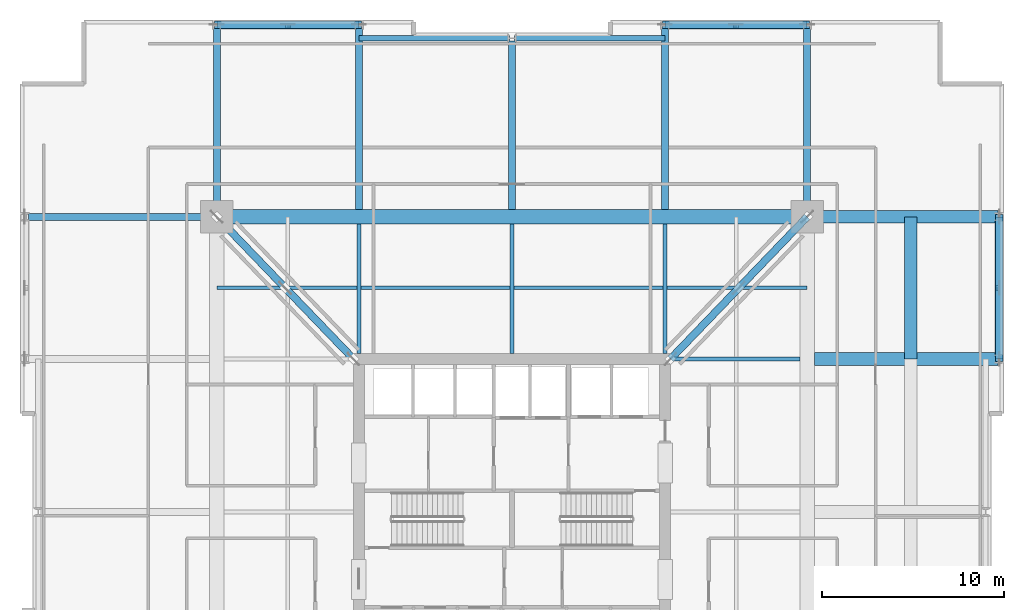
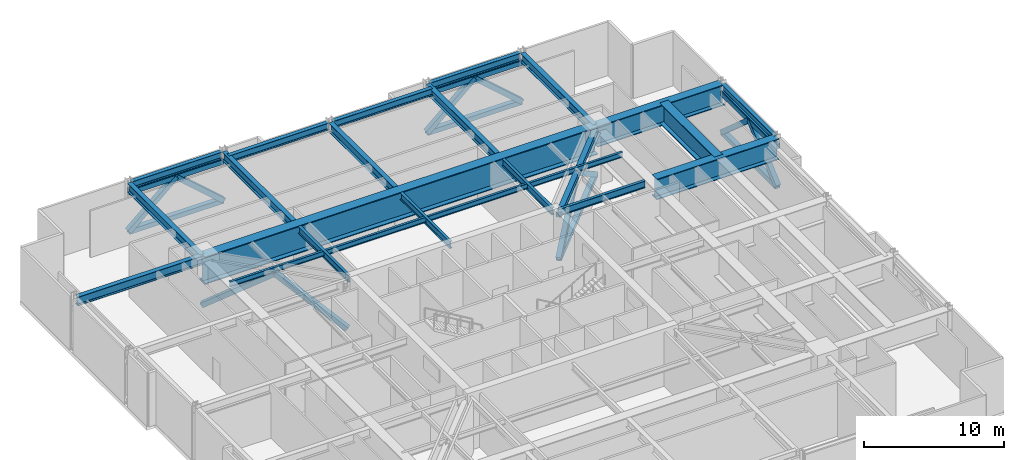
# One storey, part 2 of 13: 20 beams, 18 members.
"""IFC4 building model written with IfcOpenShell, lengths in metres."""

import ifcopenshell
import ifcopenshell.guid

model = None  # the IFC model being written
_history = None  # IfcOwnerHistory: only IFC2X3 demands one
_inside = {}  # id of a spatial element -> (the spatial element, [elements in it])
_under = {}  # id of a project, library or spatial element -> (it, [spatial elements below it])
_declared = {}  # id of a project -> (the project, [libraries it declares])
_typed = {}  # id of a type object -> (the type object, [elements of that type])
_made_of = {}  # id of a material, layer set ... -> (it, [elements and type objects made of it])


def new_model(schema):
    """Start an empty IFC model of exactly this schema.

    Asked for "IFC4X3", IfcOpenShell would pick the latest addendum, in which some entities
    have other attributes; the version numbers below select the first issue.
    IFC2X3 requires an IfcOwnerHistory on every rooted entity: one is made here for all.
    """
    global model, _history
    if schema == "IFC4X3":
        model = ifcopenshell.file(schema_version=(4, 3, 0, 0))
    else:
        model = ifcopenshell.file(schema=schema)
    _inside.clear()
    _under.clear()
    _declared.clear()
    _typed.clear()
    _made_of.clear()
    _history = None
    if model.schema == "IFC2X3":
        org = make("IfcOrganization", Name="unknown")
        user = make(
            "IfcPersonAndOrganization",
            ThePerson=make("IfcPerson", FamilyName="unknown"),
            TheOrganization=org,
        )
        app = make(
            "IfcApplication",
            ApplicationDeveloper=org,
            Version="unknown",
            ApplicationFullName="unknown",
            ApplicationIdentifier="unknown",
        )
        _history = make(
            "IfcOwnerHistory",
            OwningUser=user,
            OwningApplication=app,
            ChangeAction="ADDED",
            CreationDate=0,
        )
    return model


def make(cls, **values):
    """One entity of the class cls with the attributes given. An attribute that is None is left unset."""
    return model.create_entity(
        cls, **{name: value for name, value in values.items() if value is not None}
    )


def rooted(cls, **values):
    """An entity with a GlobalId (a new one), such as an element, a storey or a relation."""
    return make(cls, GlobalId=ifcopenshell.guid.new(), OwnerHistory=_history, **values)


def si_unit(unit_type, name, prefix=None):
    """IfcSIUnit, for example si_unit("LENGTHUNIT", "METRE", prefix="MILLI")."""
    return make("IfcSIUnit", UnitType=unit_type, Prefix=prefix, Name=name)


def assignment(units):
    """IfcUnitAssignment: the units of a project."""
    return None if units is None else make("IfcUnitAssignment", Units=units)


def point(xyz):
    """IfcCartesianPoint."""
    return None if xyz is None else make("IfcCartesianPoint", Coordinates=xyz)


def direction(xyz):
    """IfcDirection."""
    return None if xyz is None else make("IfcDirection", DirectionRatios=xyz)


def frame(location, z_axis=None, x_axis=None):
    """IfcAxis2Placement3D, a coordinate frame: its origin and axes. An axis left out is left unset."""
    return make(
        "IfcAxis2Placement3D",
        Location=point(location),
        Axis=direction(z_axis),
        RefDirection=direction(x_axis),
    )


def frame_2d(location, x_axis=None):
    """IfcAxis2Placement2D, a coordinate frame in the plane: its origin and x axis."""
    return make(
        "IfcAxis2Placement2D", Location=point(location), RefDirection=direction(x_axis)
    )


def origin():
    """The frame at (0, 0, 0) with its axes left unset."""
    return frame((0.0, 0.0, 0.0))


def origin_2d():
    """The frame at (0, 0) in the plane with its x axis left unset."""
    return frame_2d((0.0, 0.0))


def place(relative_to, where):
    """IfcLocalPlacement: puts the frame where relative to a parent placement (None: the world)."""
    return make(
        "IfcLocalPlacement", PlacementRelTo=relative_to, RelativePlacement=where
    )


def context(
    kind, dimensions, precision=None, world=None, true_north=None, identifier=None
):
    """IfcGeometricRepresentationContext, for example the 3D "Model" context."""
    return make(
        "IfcGeometricRepresentationContext",
        ContextIdentifier=identifier,
        ContextType=kind,
        CoordinateSpaceDimension=dimensions,
        Precision=precision,
        WorldCoordinateSystem=world,
        TrueNorth=true_north,
    )


def subcontext(parent, identifier, kind, view, scale=None):
    """IfcGeometricRepresentationSubContext, for example "Body" below "Model"."""
    return make(
        "IfcGeometricRepresentationSubContext",
        ContextIdentifier=identifier,
        ContextType=kind,
        ParentContext=parent,
        TargetScale=scale,
        TargetView=view,
    )


def project(units=None, contexts=None):
    """IfcProject with its units and contexts."""
    return rooted(
        "IfcProject",
        Name="project",
        RepresentationContexts=contexts,
        UnitsInContext=assignment(units),
    )


def spatial(cls, under=None, at=None, **own):
    """A site, building, storey or space (cls), placed at a placement, below another one or the project."""
    s = rooted(cls, ObjectPlacement=at, **own)
    if under is not None:
        _under.setdefault(under.id(), (under, []))[1].append(s)
    return s


def profile(cls, at=None, kind="AREA", **sizes):
    """A parametric profile (cls). Its sizes go by their IFC names, for example OverallWidth=200.0."""
    return make(cls, ProfileType=kind, Position=at, **sizes)


def hollow_rectangle(**sizes):
    """IfcRectangleHollowProfileDef."""
    return profile("IfcRectangleHollowProfileDef", **sizes)


def i_section(**sizes):
    """IfcIShapeProfileDef."""
    return profile("IfcIShapeProfileDef", **sizes)


def extrude(swept, where, along, depth):
    """IfcExtrudedAreaSolid: the profile swept, set in the frame where, extruded along a direction by depth."""
    return make(
        "IfcExtrudedAreaSolid",
        SweptArea=swept,
        Position=where,
        ExtrudedDirection=direction(along),
        Depth=depth,
    )


def shape(context_of_items, identifier, shape_type, items):
    """IfcShapeRepresentation: the items that make up one representation, for example the "Body"."""
    return make(
        "IfcShapeRepresentation",
        ContextOfItems=context_of_items,
        RepresentationIdentifier=identifier,
        RepresentationType=shape_type,
        Items=items,
    )


def material(Name=None, Category=None):
    """IfcMaterial."""
    return make("IfcMaterial", Name=Name, Category=Category)


def material_profile(
    of_material, cross_section, Name=None, Category=None, Priority=None
):
    """IfcMaterialProfile: a cross section and its material."""
    return make(
        "IfcMaterialProfile",
        Name=Name,
        Material=of_material,
        Profile=cross_section,
        Priority=Priority,
        Category=Category,
    )


def profile_set(profiles, Name=None, composite=None):
    """IfcMaterialProfileSet."""
    return make(
        "IfcMaterialProfileSet",
        Name=Name,
        MaterialProfiles=profiles,
        CompositeProfile=composite,
    )


def made_of(thing, what):
    """Note that an element or type object is made of a material, layer set ...; save() writes the relation."""
    if what is not None:
        _made_of.setdefault(what.id(), (what, []))[1].append(thing)
    return thing


def type_object(cls, material=None, **own):
    """A type object (cls), such as IfcWallType, which elements share."""
    return made_of(rooted(cls, **own), material)


def element(
    cls,
    number,
    at=None,
    inside=None,
    cuts=None,
    type_object=None,
    material=None,
    context=None,
    identifier="Body",
    shape_type=None,
    held_by="IfcProductDefinitionShape",
    body=None,
    shapes=None,
    **own,
):
    """One element of the class cls, such as IfcWall. Its Tag is "e" and its number.

    at: its placement. inside: the storey or other place that contains it. cuts: it is an
    opening in that element (IfcRelVoidsElement). A single representation is given by context,
    identifier, shape_type and body (its items); several are given by shapes. held_by: the class
    of the entity that holds the representations. save() writes the other relations.
    """
    e = rooted(cls, Tag="e%d" % number, ObjectPlacement=at, **own)
    if body is not None:
        shapes = [shape(context, identifier, shape_type, body)]
    if shapes is not None:
        e.Representation = make(held_by, Representations=shapes)
    if inside is not None:
        _inside.setdefault(inside.id(), (inside, []))[1].append(e)
    if cuts is not None:
        rooted(
            "IfcRelVoidsElement", RelatingBuildingElement=cuts, RelatedOpeningElement=e
        )
    if type_object is not None:
        _typed.setdefault(type_object.id(), (type_object, []))[1].append(e)
    return made_of(e, material)


def aggregate(whole, parts):
    """IfcRelAggregates: a whole, such as a stair, and the parts it consists of."""
    return rooted("IfcRelAggregates", RelatingObject=whole, RelatedObjects=parts)


def save(model, path):
    """Write the relations noted so far, then the file.

    IfcRelAggregates (storeys below a building ...), IfcRelContainedInSpatialStructure (elements
    in a storey), IfcRelDefinesByType, IfcRelAssociatesMaterial and IfcRelDeclares: one each for
    every whole, place, type object, material and project.
    """
    for whole, parts in _under.values():
        aggregate(whole, parts)
    for where, things in _inside.values():
        rooted(
            "IfcRelContainedInSpatialStructure",
            RelatedElements=things,
            RelatingStructure=where,
        )
    for kind, things in _typed.values():
        rooted("IfcRelDefinesByType", RelatedObjects=things, RelatingType=kind)
    for what, things in _made_of.values():
        rooted("IfcRelAssociatesMaterial", RelatedObjects=things, RelatingMaterial=what)
    for by, libraries in _declared.values():
        rooted("IfcRelDeclares", RelatingContext=by, RelatedDefinitions=libraries)
    model.write(path)


model = new_model("IFC4")

# Units and contexts
model_context = context("Model", 3, precision=1e-05, world=origin(), true_north=direction((0.0, 1.0)))
body_context = subcontext(model_context, "Body", "Model", "MODEL_VIEW")
ifc_project = project(units=[si_unit("LENGTHUNIT", "METRE"), si_unit("AREAUNIT", "SQUARE_METRE"), si_unit("VOLUMEUNIT", "CUBIC_METRE"), si_unit("PLANEANGLEUNIT", "RADIAN"), si_unit("MASSUNIT", "GRAM", prefix="KILO")], contexts=[model_context])

# Site, building, storey
site_placement = place(None, origin())
site = spatial("IfcSite", under=ifc_project, at=site_placement, CompositionType="ELEMENT")
building_placement = place(site_placement, origin())
building = spatial("IfcBuilding", under=site, at=building_placement, Name="Drelvath Grand Hotel", CompositionType="ELEMENT")
storey_placement = place(building_placement, frame((0.0, 0.0, 82.199951171875)))
storey = spatial("IfcBuildingStorey", under=building, at=storey_placement, Name="L20", CompositionType="ELEMENT", Elevation=82.199951171875)

# Beams
ifc_material_1 = material(Name="Steel ASTM A572 Gr 50", Category="steel")
ifc_material_profile_1 = material_profile(ifc_material_1, i_section(OverallWidth=0.699951171875, OverallDepth=1.800048828125, WebThickness=0.035888671875, FlangeThickness=0.06494140625, at=origin_2d()), Name="PG1800X700")
ifc_profile_set_1 = profile_set([ifc_material_profile_1], Name="Steel ASTM A572 Gr 50")
beam_type_1 = type_object("IfcBeamType", Name="Built-Up Transfer Girder PG1800X700", PredefinedType="BEAM", material=ifc_profile_set_1)
beam_1_placement = place(storey_placement, frame((21.8798828125, 35.39990234375, 3.800048828125), z_axis=(0.0, 1.0, 0.0), x_axis=(-1.0, 0.0, 0.0)))
element("IfcBeam", 1, at=beam_1_placement, inside=storey, type_object=beam_type_1, Name="L20 Setback Transfer Girder East 4", PredefinedType="BEAM", context=body_context, shape_type="SweptSolid", body=[
    extrude(i_section(OverallWidth=0.699951171875, OverallDepth=1.800048828125, WebThickness=0.035888671875, FlangeThickness=0.06494140625, at=origin_2d()), origin(), (0.0, 0.0, 1.0), 7.800048828125),
])
beam_2_placement = place(storey_placement, frame((16.60009765625, 35.39990234375, 3.800048828125), z_axis=(1.0, 0.0, 0.0), x_axis=(0.0, 1.0, 0.0)))
element("IfcBeam", 2, at=beam_2_placement, inside=storey, type_object=beam_type_1, Name="L20 Setback Cross Transfer Girder F", PredefinedType="BEAM", context=body_context, shape_type="SweptSolid", body=[
    extrude(i_section(OverallWidth=0.699951171875, OverallDepth=1.800048828125, WebThickness=0.035888671875, FlangeThickness=0.06494140625, at=origin_2d()), origin(), (0.0, 0.0, 1.0), 10.079833984375),
])
beam_3_placement = place(storey_placement, frame((16.199951171875, 43.199951171875, 3.800048828125), z_axis=(1.0, 0.0, 0.0), x_axis=(0.0, 1.0, 0.0)))
element("IfcBeam", 3, at=beam_3_placement, inside=storey, type_object=beam_type_1, Name="L20 Setback Cross Transfer Girder G", PredefinedType="BEAM", context=body_context, shape_type="SweptSolid", body=[
    extrude(i_section(OverallWidth=0.699951171875, OverallDepth=1.800048828125, WebThickness=0.035888671875, FlangeThickness=0.06494140625, at=origin_2d()), origin(), (0.0, 0.0, 1.0), 10.47998046875),
])
ifc_material_profile_2 = material_profile(ifc_material_1, i_section(OverallWidth=0.800048828125, OverallDepth=2.39990234375, WebThickness=0.0400390625, FlangeThickness=0.074951171875, at=origin_2d()), Name="PG2400X800")
ifc_profile_set_2 = profile_set([ifc_material_profile_2], Name="Steel ASTM A572 Gr 50")
beam_type_2 = type_object("IfcBeamType", Name="Built-Up Transfer Girder PG2400X800", PredefinedType="BEAM", material=ifc_profile_set_2)
beam_4_placement = place(storey_placement, frame((-16.199951171875, 43.199951171875, 3.5), z_axis=(1.0, 0.0, 0.0), x_axis=(0.0, 1.0, 0.0)))
element("IfcBeam", 4, at=beam_4_placement, inside=storey, type_object=beam_type_2, Name="L20 Mega Ring Girder North", PredefinedType="BEAM", context=body_context, shape_type="SweptSolid", body=[
    extrude(i_section(OverallWidth=0.800048828125, OverallDepth=2.39990234375, WebThickness=0.0400390625, FlangeThickness=0.074951171875, at=origin_2d()), origin(), (0.0, 0.0, 1.0), 32.39990234375),
])
ifc_material_2 = material(Name="Steel ASTM A992 Gr 50", Category="steel")
ifc_material_profile_3 = material_profile(ifc_material_2, i_section(OverallWidth=0.19140625, OverallDepth=0.4599609375, WebThickness=0.010009765625, FlangeThickness=0.01611328125, FilletRadius=0.01611328125, at=origin_2d()), Name="W18X55")
ifc_profile_set_3 = profile_set([ifc_material_profile_3], Name="Steel ASTM A992 Gr 50")
beam_type_3 = type_object("IfcBeamType", Name="Composite Floor Joist W18X55", PredefinedType="JOIST", material=ifc_profile_set_3)
beam_5_placement = place(storey_placement, frame((-16.199951171875, 39.300048828125, 4.469970703125), z_axis=(1.0, 0.0, 0.0), x_axis=(0.0, 1.0, 0.0)))
element("IfcBeam", 5, at=beam_5_placement, inside=storey, type_object=beam_type_3, Name="L20 Floor Joist J2", PredefinedType="JOIST", context=body_context, shape_type="SweptSolid", body=[
    extrude(i_section(OverallWidth=0.19140625, OverallDepth=0.4599609375, WebThickness=0.010009765625, FlangeThickness=0.01611328125, FilletRadius=0.01611328125, at=origin_2d()), origin(), (0.0, 0.0, 1.0), 32.39990234375),
])

# Members
ifc_material_3 = material(Name="Steel ASTM A500 Gr C", Category="steel")
ifc_material_profile_4 = material_profile(ifc_material_3, hollow_rectangle(XDim=0.406494140625, YDim=0.406494140625, WallThickness=0.015869140625, at=origin_2d()), Name="HSS406X406X16")
ifc_profile_set_4 = profile_set([ifc_material_profile_4], Name="Steel ASTM A500 Gr C")
member_type_1 = type_object("IfcMemberType", Name="Outrigger and Belt Truss Brace HSS406X406X16", PredefinedType="BRACE", material=ifc_profile_set_4)
for number, where, z_axis, x_axis, name in (
    (6, (-8.699951171875, 35.39990234375, 0.35009765625), (-0.567180022791, 0.589889379173, 0.574749808252), (-0.720846071131, -0.693095189519, 0.0), "L20 Outrigger Truss Diagonal NW-1"),
    (7, (-12.449951171875, 39.300048828125, 4.150146484375), (-0.567192377196, 0.589865301649, -0.574762327542), (-0.720824393659, -0.693117734231, 0.0), "L20 Outrigger Truss Diagonal NW-2"),
    (8, (8.699951171875, 35.39990234375, 0.35009765625), (0.567180022791, 0.589889379173, 0.574749808252), (-0.720846071131, 0.693095189519, 0.0), "L20 Outrigger Truss Diagonal NE-1"),
    (9, (12.449951171875, 39.300048828125, 4.150146484375), (0.567192377196, 0.589865301649, -0.574762327542), (-0.720824393659, 0.693117734231, 0.0), "L20 Outrigger Truss Diagonal NE-2"),
):
    element("IfcMember", number, at=place(storey_placement, frame(where, z_axis=z_axis, x_axis=x_axis)), inside=storey, type_object=member_type_1, Name=name, PredefinedType="BRACE", context=body_context, shape_type="SweptSolid", body=[
        extrude(hollow_rectangle(XDim=0.406494140625, YDim=0.406494140625, WallThickness=0.015869140625, at=origin_2d()), origin(), (0.0, 0.0, 1.0), 6.611572265625),
    ])
member_1_placement = place(storey_placement, frame((26.75, 35.39990234375, 0.35009765625), z_axis=(0.0, 0.750923290114, 0.660389439925), x_axis=(-1.0, 0.0, 0.0)))
element("IfcMember", 10, at=member_1_placement, inside=storey, type_object=member_type_1, Name="L20 Belt Truss Diagonal BE-N-1", PredefinedType="BRACE", context=body_context, shape_type="SweptSolid", body=[
    extrude(hollow_rectangle(XDim=0.406494140625, YDim=0.406494140625, WallThickness=0.015869140625, at=origin_2d()), origin(), (0.0, 0.0, 1.0), 5.19384765625),
])
for number, where, z_axis, x_axis, name in (
    (11, (26.75, 39.300048828125, 3.780029296875), (0.0, 0.750902788977, -0.660412750866), (-1.0, 0.0, 0.0), "L20 Belt Truss Diagonal BE-N-2"),
    (12, (-16.199951171875, 53.75, 0.35009765625), (0.750902788977, 0.0, 0.660412750866), (0.0, 1.0, 0.0), "L20 Belt Truss Diagonal BN-W-1"),
):
    element("IfcMember", number, at=place(storey_placement, frame(where, z_axis=z_axis, x_axis=x_axis)), inside=storey, type_object=member_type_1, Name=name, PredefinedType="BRACE", context=body_context, shape_type="SweptSolid", body=[
        extrude(hollow_rectangle(XDim=0.406494140625, YDim=0.406494140625, WallThickness=0.015869140625, at=origin_2d()), origin(), (0.0, 0.0, 1.0), 5.193603515625),
    ])
for number, where, z_axis, x_axis, name in (
    (13, (-12.300048828125, 53.75, 3.780029296875), (0.750923290114, 0.0, -0.660389439925), (0.0, 1.0, 0.0), "L20 Belt Truss Diagonal BN-W-2"),
    (14, (8.39990234375, 53.75, 0.35009765625), (0.750923290114, 0.0, 0.660389439925), (0.0, 1.0, 0.0), "L20 Belt Truss Diagonal BN-E-1"),
):
    element("IfcMember", number, at=place(storey_placement, frame(where, z_axis=z_axis, x_axis=x_axis)), inside=storey, type_object=member_type_1, Name=name, PredefinedType="BRACE", context=body_context, shape_type="SweptSolid", body=[
        extrude(hollow_rectangle(XDim=0.406494140625, YDim=0.406494140625, WallThickness=0.015869140625, at=origin_2d()), origin(), (0.0, 0.0, 1.0), 5.19384765625),
    ])
member_2_placement = place(storey_placement, frame((12.300048828125, 53.75, 3.780029296875), z_axis=(0.750902788977, 0.0, -0.660412750866), x_axis=(0.0, 1.0, 0.0)))
element("IfcMember", 15, at=member_2_placement, inside=storey, type_object=member_type_1, Name="L20 Belt Truss Diagonal BN-E-2", PredefinedType="BRACE", context=body_context, shape_type="SweptSolid", body=[
    extrude(hollow_rectangle(XDim=0.406494140625, YDim=0.406494140625, WallThickness=0.015869140625, at=origin_2d()), origin(), (0.0, 0.0, 1.0), 5.193603515625),
])
ifc_material_profile_5 = material_profile(ifc_material_3, hollow_rectangle(XDim=0.406494140625, YDim=0.406494140625, WallThickness=0.015869140625, at=origin_2d()), Name="HSS406X406X16")
ifc_profile_set_5 = profile_set([ifc_material_profile_5], Name="Steel ASTM A500 Gr C")
member_type_2 = type_object("IfcMemberType", Name="Outrigger and Belt Truss Chord HSS406X406X16", PredefinedType="CHORD", material=ifc_profile_set_5)
for number, where, z_axis, x_axis, name in (
    (16, (8.699951171875, 35.39990234375, 0.35009765625), (0.693106461777, 0.72083523266, 0.0), (-0.72083523266, 0.693106461777, 0.0), "L20 Outrigger Truss Bottom Chord NE"),
    (17, (8.699951171875, 35.39990234375, 4.150146484375), (0.693106461777, 0.72083523266, 0.0), (-0.72083523266, 0.693106461777, 0.0), "L20 Outrigger Truss Top Chord NE"),
):
    element("IfcMember", number, at=place(storey_placement, frame(where, z_axis=z_axis, x_axis=x_axis)), inside=storey, type_object=member_type_2, Name=name, PredefinedType="CHORD", context=body_context, shape_type="SweptSolid", body=[
        extrude(hollow_rectangle(XDim=0.406494140625, YDim=0.406494140625, WallThickness=0.015869140625, at=origin_2d()), origin(), (0.0, 0.0, 1.0), 10.82080078125),
    ])
for number, where, z_axis, x_axis, name in (
    (18, (26.75, 35.39990234375, 0.35009765625), (0.0, 1.0, 0.0), (-1.0, 0.0, 0.0), "L20 Belt Truss Bottom Chord BE-N"),
    (19, (26.75, 35.39990234375, 3.780029296875), (0.0, 1.0, 0.0), (-1.0, 0.0, 0.0), "L20 Belt Truss Top Chord BE-N"),
    (20, (-16.199951171875, 53.75, 0.35009765625), (1.0, 0.0, 0.0), (0.0, 1.0, 0.0), "L20 Belt Truss Bottom Chord BN-W"),
    (21, (-16.199951171875, 53.75, 3.780029296875), (1.0, 0.0, 0.0), (0.0, 1.0, 0.0), "L20 Belt Truss Top Chord BN-W"),
    (22, (8.39990234375, 53.75, 0.35009765625), (1.0, 0.0, 0.0), (0.0, 1.0, 0.0), "L20 Belt Truss Bottom Chord BN-E"),
    (23, (8.39990234375, 53.75, 3.780029296875), (1.0, 0.0, 0.0), (0.0, 1.0, 0.0), "L20 Belt Truss Top Chord BN-E"),
):
    element("IfcMember", number, at=place(storey_placement, frame(where, z_axis=z_axis, x_axis=x_axis)), inside=storey, type_object=member_type_2, Name=name, PredefinedType="CHORD", context=body_context, shape_type="SweptSolid", body=[
        extrude(hollow_rectangle(XDim=0.406494140625, YDim=0.406494140625, WallThickness=0.015869140625, at=origin_2d()), origin(), (0.0, 0.0, 1.0), 7.800048828125),
    ])

# Beams
ifc_material_profile_6 = material_profile(ifc_material_2, i_section(OverallWidth=0.323974609375, OverallDepth=0.611083984375, WebThickness=0.0126953125, FlangeThickness=0.01904296875, FilletRadius=0.02197265625, at=origin_2d()), Name="W24X104")
ifc_profile_set_6 = profile_set([ifc_material_profile_6], Name="Steel ASTM A992 Gr 50")
beam_type_4 = type_object("IfcBeamType", Name="Perimeter Spandrel Beam W24X104", PredefinedType="SPANDREL", material=ifc_profile_set_6)
for number, where, z_axis, x_axis, name in (
    (24, (26.679931640625, 35.5400390625, 4.39453125), (0.0, 1.0, 0.0), (-1.0, 0.0, 0.0), "L20 Spandrel East N"),
    (25, (-16.06005859375, 53.679931640625, 4.39453125), (1.0, 0.0, 0.0), (0.0, 1.0, 0.0), "L20 Spandrel North W"),
):
    element("IfcBeam", number, at=place(storey_placement, frame(where, z_axis=z_axis, x_axis=x_axis)), inside=storey, type_object=beam_type_4, Name=name, PredefinedType="SPANDREL", context=body_context, shape_type="SweptSolid", body=[
        extrude(i_section(OverallWidth=0.323974609375, OverallDepth=0.611083984375, WebThickness=0.0126953125, FlangeThickness=0.01904296875, FilletRadius=0.02197265625, at=origin_2d()), origin(), (0.0, 0.0, 1.0), 7.52001953125),
    ])
for number, where, z_axis, x_axis, name in (
    (26, (-8.39990234375, 53.0, 4.39453125), (1.0, 0.0, 0.0), (0.0, 1.0, 0.0), "L20 Spandrel North Mid W"),
    (27, (0.139892578125, 53.0, 4.39453125), (1.0, 0.0, 0.0), (0.0, 1.0, 0.0), "L20 Spandrel North Mid E"),
):
    element("IfcBeam", number, at=place(storey_placement, frame(where, z_axis=z_axis, x_axis=x_axis)), inside=storey, type_object=beam_type_4, Name=name, PredefinedType="SPANDREL", context=body_context, shape_type="SweptSolid", body=[
        extrude(i_section(OverallWidth=0.323974609375, OverallDepth=0.611083984375, WebThickness=0.0126953125, FlangeThickness=0.01904296875, FilletRadius=0.02197265625, at=origin_2d()), origin(), (0.0, 0.0, 1.0), 8.260009765625),
    ])
beam_6_placement = place(storey_placement, frame((8.5400390625, 53.679931640625, 4.39453125), z_axis=(1.0, 0.0, 0.0), x_axis=(0.0, 1.0, 0.0)))
element("IfcBeam", 28, at=beam_6_placement, inside=storey, type_object=beam_type_4, Name="L20 Spandrel North E", PredefinedType="SPANDREL", context=body_context, shape_type="SweptSolid", body=[
    extrude(i_section(OverallWidth=0.323974609375, OverallDepth=0.611083984375, WebThickness=0.0126953125, FlangeThickness=0.01904296875, FilletRadius=0.02197265625, at=origin_2d()), origin(), (0.0, 0.0, 1.0), 7.52001953125),
])
ifc_material_profile_7 = material_profile(ifc_material_2, i_section(OverallWidth=0.228271484375, OverallDepth=0.607666015625, WebThickness=0.01123046875, FlangeThickness=0.017333984375, FilletRadius=0.02001953125, at=origin_2d()), Name="W24X76")
ifc_profile_set_7 = profile_set([ifc_material_profile_7], Name="Steel ASTM A992 Gr 50")
beam_type_5 = type_object("IfcBeamType", Name="Primary Floor Girder W24X76", PredefinedType="BEAM", material=ifc_profile_set_7)
for number, where, z_axis, x_axis, name in (
    (29, (8.699951171875, 35.39990234375, 4.396240234375), (1.0, 0.0, 0.0), (0.0, 1.0, 0.0), "L20 East Core Tie F"),
    (30, (-8.39990234375, 35.699951171875, 4.396240234375), (0.0, 1.0, 0.0), (-1.0, 0.0, 0.0), "L20 North Core Tie 4"),
    (31, (0.0, 35.699951171875, 4.396240234375), (0.0, 1.0, 0.0), (-1.0, 0.0, 0.0), "L20 North Core Tie 5"),
    (32, (8.39990234375, 35.699951171875, 4.396240234375), (0.0, 1.0, 0.0), (-1.0, 0.0, 0.0), "L20 North Core Tie 6"),
):
    element("IfcBeam", number, at=place(storey_placement, frame(where, z_axis=z_axis, x_axis=x_axis)), inside=storey, type_object=beam_type_5, Name=name, PredefinedType="BEAM", context=body_context, shape_type="SweptSolid", body=[
        extrude(i_section(OverallWidth=0.228271484375, OverallDepth=0.607666015625, WebThickness=0.01123046875, FlangeThickness=0.017333984375, FilletRadius=0.02001953125, at=origin_2d()), origin(), (0.0, 0.0, 1.0), 7.10009765625),
    ])
ifc_material_profile_8 = material_profile(ifc_material_2, i_section(OverallWidth=0.380615234375, OverallDepth=0.773193359375, WebThickness=0.0166015625, FlangeThickness=0.027099609375, FilletRadius=0.02490234375, at=origin_2d()), Name="W30X173")
ifc_profile_set_8 = profile_set([ifc_material_profile_8], Name="Steel ASTM A992 Gr 50")
beam_type_6 = type_object("IfcBeamType", Name="Primary Floor Girder W30X173", PredefinedType="BEAM", material=ifc_profile_set_8)
for number, where, z_axis, x_axis, name in (
    (33, (-26.5400390625, 43.199951171875, 4.3134765625), (1.0, 0.0, 0.0), (0.0, 1.0, 0.0), "L20 West Grid Girder G"),
    (34, (-16.199951171875, 43.199951171875, 4.3134765625), (0.0, 1.0, 0.0), (-1.0, 0.0, 0.0), "L20 North Grid Girder 3"),
    (35, (16.199951171875, 43.199951171875, 4.3134765625), (0.0, 1.0, 0.0), (-1.0, 0.0, 0.0), "L20 North Grid Girder 7"),
):
    element("IfcBeam", number, at=place(storey_placement, frame(where, z_axis=z_axis, x_axis=x_axis)), inside=storey, type_object=beam_type_6, Name=name, PredefinedType="BEAM", context=body_context, shape_type="SweptSolid", body=[
        extrude(i_section(OverallWidth=0.380615234375, OverallDepth=0.773193359375, WebThickness=0.0166015625, FlangeThickness=0.027099609375, FilletRadius=0.02490234375, at=origin_2d()), origin(), (0.0, 0.0, 1.0), 10.340087890625),
    ])
beam_7_placement = place(storey_placement, frame((-8.39990234375, 43.60009765625, 4.3134765625), z_axis=(0.0, 1.0, 0.0), x_axis=(-1.0, 0.0, 0.0)))
element("IfcBeam", 36, at=beam_7_placement, inside=storey, type_object=beam_type_6, Name="L20 North Wing Girder 4", PredefinedType="BEAM", context=body_context, shape_type="SweptSolid", body=[
    extrude(i_section(OverallWidth=0.380615234375, OverallDepth=0.773193359375, WebThickness=0.0166015625, FlangeThickness=0.027099609375, FilletRadius=0.02490234375, at=origin_2d()), origin(), (0.0, 0.0, 1.0), 9.93994140625),
])
beam_8_placement = place(storey_placement, frame((0.0, 43.60009765625, 4.3134765625), z_axis=(0.0, 1.0, 0.0), x_axis=(-1.0, 0.0, 0.0)))
element("IfcBeam", 37, at=beam_8_placement, inside=storey, type_object=beam_type_6, Name="L20 North Wing Girder 5", PredefinedType="BEAM", context=body_context, shape_type="SweptSolid", body=[
    extrude(i_section(OverallWidth=0.380615234375, OverallDepth=0.773193359375, WebThickness=0.0166015625, FlangeThickness=0.027099609375, FilletRadius=0.02490234375, at=origin_2d()), origin(), (0.0, 0.0, 1.0), 9.260009765625),
])
beam_9_placement = place(storey_placement, frame((8.39990234375, 43.60009765625, 4.3134765625), z_axis=(0.0, 1.0, 0.0), x_axis=(-1.0, 0.0, 0.0)))
element("IfcBeam", 38, at=beam_9_placement, inside=storey, type_object=beam_type_6, Name="L20 North Wing Girder 6", PredefinedType="BEAM", context=body_context, shape_type="SweptSolid", body=[
    extrude(i_section(OverallWidth=0.380615234375, OverallDepth=0.773193359375, WebThickness=0.0166015625, FlangeThickness=0.027099609375, FilletRadius=0.02490234375, at=origin_2d()), origin(), (0.0, 0.0, 1.0), 9.93994140625),
])

save(model, "model.ifc")
